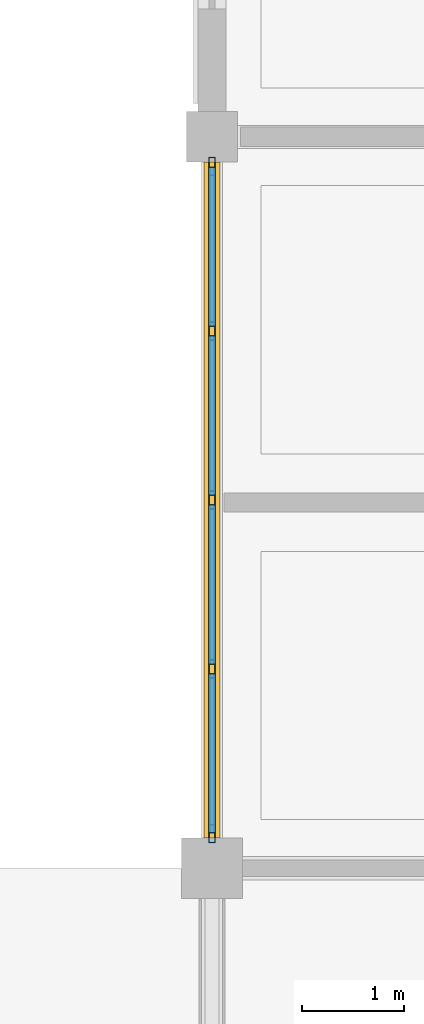
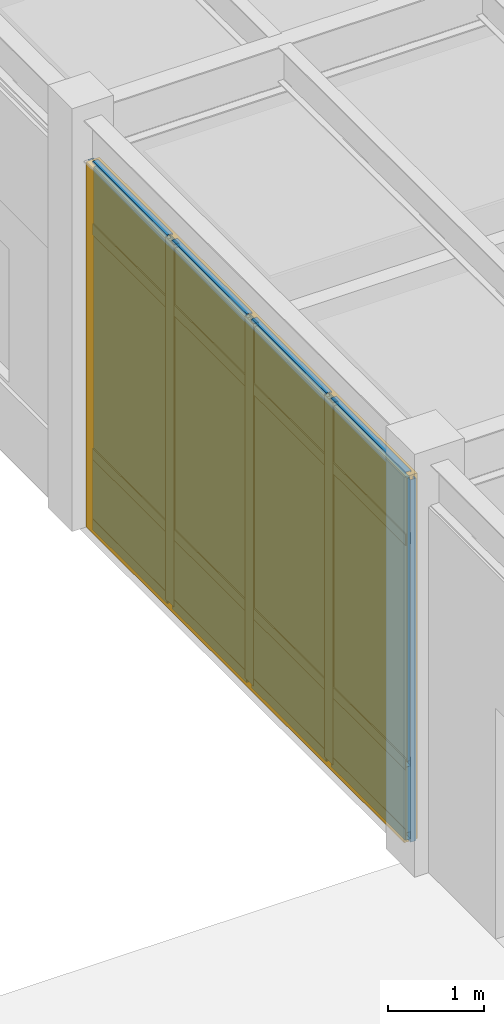
# One storey, part 64 of 97: 21 members, 8 plates, 1 curtain wall.
"""IFC4 building model written with IfcOpenShell, lengths in metres."""

from ifc_helpers import new_model, si_unit, direction, frame, origin, origin_2d, place, context, subcontext, project, spatial, rectangle, hollow_rectangle, extrude, material, layer, layer_set, material_profile, profile_set, type_object, element, aggregate, save


model = new_model("IFC4")

# Units and contexts
model_context = context("Model", 3, precision=1e-05, world=origin(), true_north=direction((0.0, 1.0)))
body_context = subcontext(model_context, "Body", "Model", "MODEL_VIEW")
ifc_project = project(units=[si_unit("LENGTHUNIT", "METRE"), si_unit("AREAUNIT", "SQUARE_METRE"), si_unit("VOLUMEUNIT", "CUBIC_METRE"), si_unit("PLANEANGLEUNIT", "RADIAN"), si_unit("MASSUNIT", "GRAM", prefix="KILO")], contexts=[model_context])

# Member
ifc_material_1 = material(Name="Anodized Aluminium 6063-T6", Category="aluminium")
ifc_material_profile_1 = material_profile(ifc_material_1, hollow_rectangle(XDim=0.06494140625, YDim=0.179931640625, WallThickness=0.00390625, at=origin_2d()), Name="ALU 65x180x4")
ifc_profile_set_1 = profile_set([ifc_material_profile_1], Name="Anodized Aluminium 6063-T6")
member_type_1 = type_object("IfcMemberType", Name="CWM-65X150", PredefinedType="MULLION", material=ifc_profile_set_1)
site_placement = place(None, origin())
building_placement = place(site_placement, origin())
storey_placement = place(building_placement, origin())
member_1_placement = place(storey_placement, frame((7.199951171875, 79.5400390625, 0.02001953125), z_axis=(0.0, 0.0, 1.0), x_axis=(1.0, 0.0, 0.0)))
member_1 = element("IfcMember", 1, at=member_1_placement, type_object=member_type_1, Name="Curtain wall mullion CW-L01-01-11-W-00", PredefinedType="MULLION", context=body_context, shape_type="SweptSolid", body=[
    extrude(hollow_rectangle(XDim=0.06494140625, YDim=0.179931640625, WallThickness=0.00390625, at=origin_2d()), origin(), (0.0, 0.0, 1.0), 4.626953125),
])

member_2_placement = place(storey_placement, frame((7.199951171875, 81.16259765625, 0.02001953125), z_axis=(0.0, 0.0, 1.0), x_axis=(1.0, 0.0, 0.0)))
member_2 = element("IfcMember", 2, at=member_2_placement, type_object=member_type_1, Name="Curtain wall mullion CW-L01-01-11-W-01", PredefinedType="MULLION", context=body_context, shape_type="SweptSolid", body=[
    extrude(hollow_rectangle(XDim=0.06494140625, YDim=0.179931640625, WallThickness=0.00390625, at=origin_2d()), origin(), (0.0, 0.0, 1.0), 4.626953125),
])

member_3_placement = place(storey_placement, frame((7.199951171875, 82.824951171875, 0.02001953125), z_axis=(0.0, 0.0, 1.0), x_axis=(1.0, 0.0, 0.0)))
member_3 = element("IfcMember", 3, at=member_3_placement, type_object=member_type_1, Name="Curtain wall mullion CW-L01-01-11-W-02", PredefinedType="MULLION", context=body_context, shape_type="SweptSolid", body=[
    extrude(hollow_rectangle(XDim=0.06494140625, YDim=0.179931640625, WallThickness=0.00390625, at=origin_2d()), origin(), (0.0, 0.0, 1.0), 4.626953125),
])

member_4_placement = place(storey_placement, frame((7.199951171875, 84.487548828125, 0.02001953125), z_axis=(0.0, 0.0, 1.0), x_axis=(1.0, 0.0, 0.0)))
member_4 = element("IfcMember", 4, at=member_4_placement, type_object=member_type_1, Name="Curtain wall mullion CW-L01-01-11-W-03", PredefinedType="MULLION", context=body_context, shape_type="SweptSolid", body=[
    extrude(hollow_rectangle(XDim=0.06494140625, YDim=0.179931640625, WallThickness=0.00390625, at=origin_2d()), origin(), (0.0, 0.0, 1.0), 4.626953125),
])

member_5_placement = place(storey_placement, frame((7.199951171875, 86.110107421875, 0.02001953125), z_axis=(0.0, 0.0, 1.0), x_axis=(1.0, 0.0, 0.0)))
member_5 = element("IfcMember", 5, at=member_5_placement, type_object=member_type_1, Name="Curtain wall mullion CW-L01-01-11-W-04", PredefinedType="MULLION", context=body_context, shape_type="SweptSolid", body=[
    extrude(hollow_rectangle(XDim=0.06494140625, YDim=0.179931640625, WallThickness=0.00390625, at=origin_2d()), origin(), (0.0, 0.0, 1.0), 4.626953125),
])

ifc_material_profile_2 = material_profile(ifc_material_1, hollow_rectangle(XDim=0.06494140625, YDim=0.139892578125, WallThickness=0.00390625, at=origin_2d()), Name="ALU 65x140x4")
ifc_profile_set_2 = profile_set([ifc_material_profile_2], Name="Anodized Aluminium 6063-T6")
member_type_2 = type_object("IfcMemberType", Name="CWT-65X120", PredefinedType="USERDEFINED", material=ifc_profile_set_2)
member_6_placement = place(storey_placement, frame((7.199951171875, 79.550048828125, 0.050048828125), z_axis=(0.0, 1.0, 0.0), x_axis=(-1.0, 0.0, 0.0)))
member_6 = element("IfcMember", 6, at=member_6_placement, type_object=member_type_2, Name="Curtain wall transom CW-L01-01-11-W-1.01", ObjectType="TRANSOM", PredefinedType="USERDEFINED", context=body_context, shape_type="SweptSolid", body=[
    extrude(hollow_rectangle(XDim=0.06494140625, YDim=0.139892578125, WallThickness=0.00390625, at=origin_2d()), origin(), (0.0, 0.0, 1.0), 1.5625),
])

member_7_placement = place(storey_placement, frame((7.199951171875, 81.21240234375, 0.050048828125), z_axis=(0.0, 1.0, 0.0), x_axis=(-1.0, 0.0, 0.0)))
member_7 = element("IfcMember", 7, at=member_7_placement, type_object=member_type_2, Name="Curtain wall transom CW-L01-01-11-W-1.02", ObjectType="TRANSOM", PredefinedType="USERDEFINED", context=body_context, shape_type="SweptSolid", body=[
    extrude(hollow_rectangle(XDim=0.06494140625, YDim=0.139892578125, WallThickness=0.00390625, at=origin_2d()), origin(), (0.0, 0.0, 1.0), 1.5625),
])

member_8_placement = place(storey_placement, frame((7.199951171875, 82.875, 0.050048828125), z_axis=(0.0, 1.0, 0.0), x_axis=(-1.0, 0.0, 0.0)))
member_8 = element("IfcMember", 8, at=member_8_placement, type_object=member_type_2, Name="Curtain wall transom CW-L01-01-11-W-1.03", ObjectType="TRANSOM", PredefinedType="USERDEFINED", context=body_context, shape_type="SweptSolid", body=[
    extrude(hollow_rectangle(XDim=0.06494140625, YDim=0.139892578125, WallThickness=0.00390625, at=origin_2d()), origin(), (0.0, 0.0, 1.0), 1.5625),
])

member_9_placement = place(storey_placement, frame((7.199951171875, 84.53759765625, 0.050048828125), z_axis=(0.0, 1.0, 0.0), x_axis=(-1.0, 0.0, 0.0)))
member_9 = element("IfcMember", 9, at=member_9_placement, type_object=member_type_2, Name="Curtain wall transom CW-L01-01-11-W-1.04", ObjectType="TRANSOM", PredefinedType="USERDEFINED", context=body_context, shape_type="SweptSolid", body=[
    extrude(hollow_rectangle(XDim=0.06494140625, YDim=0.139892578125, WallThickness=0.00390625, at=origin_2d()), origin(), (0.0, 0.0, 1.0), 1.5625),
])

member_10_placement = place(storey_placement, frame((7.199951171875, 79.550048828125, 0.949951171875), z_axis=(0.0, 1.0, 0.0), x_axis=(-1.0, 0.0, 0.0)))
member_10 = element("IfcMember", 10, at=member_10_placement, type_object=member_type_2, Name="Curtain wall transom CW-L01-01-11-W-2.01", ObjectType="TRANSOM", PredefinedType="USERDEFINED", context=body_context, shape_type="SweptSolid", body=[
    extrude(hollow_rectangle(XDim=0.06494140625, YDim=0.139892578125, WallThickness=0.00390625, at=origin_2d()), origin(), (0.0, 0.0, 1.0), 1.5625),
])

member_11_placement = place(storey_placement, frame((7.199951171875, 81.21240234375, 0.949951171875), z_axis=(0.0, 1.0, 0.0), x_axis=(-1.0, 0.0, 0.0)))
member_11 = element("IfcMember", 11, at=member_11_placement, type_object=member_type_2, Name="Curtain wall transom CW-L01-01-11-W-2.02", ObjectType="TRANSOM", PredefinedType="USERDEFINED", context=body_context, shape_type="SweptSolid", body=[
    extrude(hollow_rectangle(XDim=0.06494140625, YDim=0.139892578125, WallThickness=0.00390625, at=origin_2d()), origin(), (0.0, 0.0, 1.0), 1.5625),
])

member_12_placement = place(storey_placement, frame((7.199951171875, 82.875, 0.949951171875), z_axis=(0.0, 1.0, 0.0), x_axis=(-1.0, 0.0, 0.0)))
member_12 = element("IfcMember", 12, at=member_12_placement, type_object=member_type_2, Name="Curtain wall transom CW-L01-01-11-W-2.03", ObjectType="TRANSOM", PredefinedType="USERDEFINED", context=body_context, shape_type="SweptSolid", body=[
    extrude(hollow_rectangle(XDim=0.06494140625, YDim=0.139892578125, WallThickness=0.00390625, at=origin_2d()), origin(), (0.0, 0.0, 1.0), 1.5625),
])

member_13_placement = place(storey_placement, frame((7.199951171875, 84.53759765625, 0.949951171875), z_axis=(0.0, 1.0, 0.0), x_axis=(-1.0, 0.0, 0.0)))
member_13 = element("IfcMember", 13, at=member_13_placement, type_object=member_type_2, Name="Curtain wall transom CW-L01-01-11-W-2.04", ObjectType="TRANSOM", PredefinedType="USERDEFINED", context=body_context, shape_type="SweptSolid", body=[
    extrude(hollow_rectangle(XDim=0.06494140625, YDim=0.139892578125, WallThickness=0.00390625, at=origin_2d()), origin(), (0.0, 0.0, 1.0), 1.5625),
])

member_14_placement = place(storey_placement, frame((7.199951171875, 79.550048828125, 3.81689453125), z_axis=(0.0, 1.0, 0.0), x_axis=(-1.0, 0.0, 0.0)))
member_14 = element("IfcMember", 14, at=member_14_placement, type_object=member_type_2, Name="Curtain wall transom CW-L01-01-11-W-3.01", ObjectType="TRANSOM", PredefinedType="USERDEFINED", context=body_context, shape_type="SweptSolid", body=[
    extrude(hollow_rectangle(XDim=0.06494140625, YDim=0.139892578125, WallThickness=0.00390625, at=origin_2d()), origin(), (0.0, 0.0, 1.0), 1.5625),
])

member_15_placement = place(storey_placement, frame((7.199951171875, 81.21240234375, 3.81689453125), z_axis=(0.0, 1.0, 0.0), x_axis=(-1.0, 0.0, 0.0)))
member_15 = element("IfcMember", 15, at=member_15_placement, type_object=member_type_2, Name="Curtain wall transom CW-L01-01-11-W-3.02", ObjectType="TRANSOM", PredefinedType="USERDEFINED", context=body_context, shape_type="SweptSolid", body=[
    extrude(hollow_rectangle(XDim=0.06494140625, YDim=0.139892578125, WallThickness=0.00390625, at=origin_2d()), origin(), (0.0, 0.0, 1.0), 1.5625),
])

member_16_placement = place(storey_placement, frame((7.199951171875, 82.875, 3.81689453125), z_axis=(0.0, 1.0, 0.0), x_axis=(-1.0, 0.0, 0.0)))
member_16 = element("IfcMember", 16, at=member_16_placement, type_object=member_type_2, Name="Curtain wall transom CW-L01-01-11-W-3.03", ObjectType="TRANSOM", PredefinedType="USERDEFINED", context=body_context, shape_type="SweptSolid", body=[
    extrude(hollow_rectangle(XDim=0.06494140625, YDim=0.139892578125, WallThickness=0.00390625, at=origin_2d()), origin(), (0.0, 0.0, 1.0), 1.5625),
])

member_17_placement = place(storey_placement, frame((7.199951171875, 84.53759765625, 3.81689453125), z_axis=(0.0, 1.0, 0.0), x_axis=(-1.0, 0.0, 0.0)))
member_17 = element("IfcMember", 17, at=member_17_placement, type_object=member_type_2, Name="Curtain wall transom CW-L01-01-11-W-3.04", ObjectType="TRANSOM", PredefinedType="USERDEFINED", context=body_context, shape_type="SweptSolid", body=[
    extrude(hollow_rectangle(XDim=0.06494140625, YDim=0.139892578125, WallThickness=0.00390625, at=origin_2d()), origin(), (0.0, 0.0, 1.0), 1.5625),
])

member_18_placement = place(storey_placement, frame((7.199951171875, 79.550048828125, 4.616943359375), z_axis=(0.0, 1.0, 0.0), x_axis=(-1.0, 0.0, 0.0)))
member_18 = element("IfcMember", 18, at=member_18_placement, type_object=member_type_2, Name="Curtain wall transom CW-L01-01-11-W-4.01", ObjectType="TRANSOM", PredefinedType="USERDEFINED", context=body_context, shape_type="SweptSolid", body=[
    extrude(hollow_rectangle(XDim=0.06494140625, YDim=0.139892578125, WallThickness=0.00390625, at=origin_2d()), origin(), (0.0, 0.0, 1.0), 1.5625),
])

member_19_placement = place(storey_placement, frame((7.199951171875, 81.21240234375, 4.616943359375), z_axis=(0.0, 1.0, 0.0), x_axis=(-1.0, 0.0, 0.0)))
member_19 = element("IfcMember", 19, at=member_19_placement, type_object=member_type_2, Name="Curtain wall transom CW-L01-01-11-W-4.02", ObjectType="TRANSOM", PredefinedType="USERDEFINED", context=body_context, shape_type="SweptSolid", body=[
    extrude(hollow_rectangle(XDim=0.06494140625, YDim=0.139892578125, WallThickness=0.00390625, at=origin_2d()), origin(), (0.0, 0.0, 1.0), 1.5625),
])

member_20_placement = place(storey_placement, frame((7.199951171875, 82.875, 4.616943359375), z_axis=(0.0, 1.0, 0.0), x_axis=(-1.0, 0.0, 0.0)))
member_20 = element("IfcMember", 20, at=member_20_placement, type_object=member_type_2, Name="Curtain wall transom CW-L01-01-11-W-4.03", ObjectType="TRANSOM", PredefinedType="USERDEFINED", context=body_context, shape_type="SweptSolid", body=[
    extrude(hollow_rectangle(XDim=0.06494140625, YDim=0.139892578125, WallThickness=0.00390625, at=origin_2d()), origin(), (0.0, 0.0, 1.0), 1.5625),
])

member_21_placement = place(storey_placement, frame((7.199951171875, 84.53759765625, 4.616943359375), z_axis=(0.0, 1.0, 0.0), x_axis=(-1.0, 0.0, 0.0)))
member_21 = element("IfcMember", 21, at=member_21_placement, type_object=member_type_2, Name="Curtain wall transom CW-L01-01-11-W-4.04", ObjectType="TRANSOM", PredefinedType="USERDEFINED", context=body_context, shape_type="SweptSolid", body=[
    extrude(hollow_rectangle(XDim=0.06494140625, YDim=0.139892578125, WallThickness=0.00390625, at=origin_2d()), origin(), (0.0, 0.0, 1.0), 1.5625),
])

# Plate
ifc_material_2 = material(Name="Double Low-E Insulated Glazing Unit", Category="glass")
ifc_layer_1 = layer(ifc_material_2, 0.0380859375)
ifc_layer_set_1 = layer_set([ifc_layer_1], Name="Double Low-E Insulated Glazing Unit")
plate_type_1 = type_object("IfcPlateType", Name="CWP-IGU-38", PredefinedType="CURTAIN_PANEL", material=ifc_layer_set_1)
plate_1_placement = place(storey_placement, frame((7.199951171875, 80.331298828125, 0.990234375), z_axis=(0.0, 0.0, 1.0), x_axis=(0.0, 1.0, 0.0)))
plate_1 = element("IfcPlate", 22, at=plate_1_placement, type_object=plate_type_1, Name="Curtain wall vision glazing CW-L01-01-11-W-01", PredefinedType="CURTAIN_PANEL", context=body_context, shape_type="SweptSolid", body=[
    extrude(rectangle(XDim=1.572509765625, YDim=0.0400390625, at=origin_2d()), origin(), (0.0, 0.0, 1.0), 3.616943359375),
])

plate_2_placement = place(storey_placement, frame((7.199951171875, 81.993896484375, 0.990234375), z_axis=(0.0, 0.0, 1.0), x_axis=(0.0, 1.0, 0.0)))
plate_2 = element("IfcPlate", 23, at=plate_2_placement, type_object=plate_type_1, Name="Curtain wall vision glazing CW-L01-01-11-W-02", PredefinedType="CURTAIN_PANEL", context=body_context, shape_type="SweptSolid", body=[
    extrude(rectangle(XDim=1.572509765625, YDim=0.0400390625, at=origin_2d()), origin(), (0.0, 0.0, 1.0), 3.616943359375),
])

plate_3_placement = place(storey_placement, frame((7.199951171875, 83.65625, 0.990234375), z_axis=(0.0, 0.0, 1.0), x_axis=(0.0, 1.0, 0.0)))
plate_3 = element("IfcPlate", 24, at=plate_3_placement, type_object=plate_type_1, Name="Curtain wall vision glazing CW-L01-01-11-W-03", PredefinedType="CURTAIN_PANEL", context=body_context, shape_type="SweptSolid", body=[
    extrude(rectangle(XDim=1.572509765625, YDim=0.0400390625, at=origin_2d()), origin(), (0.0, 0.0, 1.0), 3.616943359375),
])

plate_4_placement = place(storey_placement, frame((7.199951171875, 85.31884765625, 0.990234375), z_axis=(0.0, 0.0, 1.0), x_axis=(0.0, 1.0, 0.0)))
plate_4 = element("IfcPlate", 25, at=plate_4_placement, type_object=plate_type_1, Name="Curtain wall vision glazing CW-L01-01-11-W-04", PredefinedType="CURTAIN_PANEL", context=body_context, shape_type="SweptSolid", body=[
    extrude(rectangle(XDim=1.572509765625, YDim=0.0400390625, at=origin_2d()), origin(), (0.0, 0.0, 1.0), 3.616943359375),
])

ifc_material_3 = material(Name="Insulated Bronze Aluminium Spandrel", Category="aluminium")
ifc_layer_2 = layer(ifc_material_3, 0.06005859375)
ifc_layer_set_2 = layer_set([ifc_layer_2], Name="Insulated Bronze Aluminium Spandrel")
plate_type_2 = type_object("IfcPlateType", Name="CWP-SPN-60", PredefinedType="CURTAIN_PANEL", material=ifc_layer_set_2)
plate_5_placement = place(storey_placement, frame((7.199951171875, 80.331298828125, 0.080078125), z_axis=(0.0, 0.0, 1.0), x_axis=(0.0, 1.0, 0.0)))
plate_5 = element("IfcPlate", 26, at=plate_5_placement, type_object=plate_type_2, Name="Curtain wall spandrel panel CW-L01-01-11-W-01", PredefinedType="CURTAIN_PANEL", context=body_context, shape_type="SweptSolid", body=[
    extrude(rectangle(XDim=1.572509765625, YDim=0.06005859375, at=origin_2d()), origin(), (0.0, 0.0, 1.0), 0.840087890625),
])

plate_6_placement = place(storey_placement, frame((7.199951171875, 81.993896484375, 0.080078125), z_axis=(0.0, 0.0, 1.0), x_axis=(0.0, 1.0, 0.0)))
plate_6 = element("IfcPlate", 27, at=plate_6_placement, type_object=plate_type_2, Name="Curtain wall spandrel panel CW-L01-01-11-W-02", PredefinedType="CURTAIN_PANEL", context=body_context, shape_type="SweptSolid", body=[
    extrude(rectangle(XDim=1.572509765625, YDim=0.06005859375, at=origin_2d()), origin(), (0.0, 0.0, 1.0), 0.840087890625),
])

plate_7_placement = place(storey_placement, frame((7.199951171875, 83.65625, 0.080078125), z_axis=(0.0, 0.0, 1.0), x_axis=(0.0, 1.0, 0.0)))
plate_7 = element("IfcPlate", 28, at=plate_7_placement, type_object=plate_type_2, Name="Curtain wall spandrel panel CW-L01-01-11-W-03", PredefinedType="CURTAIN_PANEL", context=body_context, shape_type="SweptSolid", body=[
    extrude(rectangle(XDim=1.572509765625, YDim=0.06005859375, at=origin_2d()), origin(), (0.0, 0.0, 1.0), 0.840087890625),
])

plate_8_placement = place(storey_placement, frame((7.199951171875, 85.31884765625, 0.080078125), z_axis=(0.0, 0.0, 1.0), x_axis=(0.0, 1.0, 0.0)))
plate_8 = element("IfcPlate", 29, at=plate_8_placement, type_object=plate_type_2, Name="Curtain wall spandrel panel CW-L01-01-11-W-04", PredefinedType="CURTAIN_PANEL", context=body_context, shape_type="SweptSolid", body=[
    extrude(rectangle(XDim=1.572509765625, YDim=0.06005859375, at=origin_2d()), origin(), (0.0, 0.0, 1.0), 0.840087890625),
])

# Site, building, storey
site = spatial("IfcSite", under=ifc_project, at=site_placement, CompositionType="ELEMENT")
building = spatial("IfcBuilding", under=site, at=building_placement, Name="Sillqori Civic Hall", CompositionType="ELEMENT")
storey = spatial("IfcBuildingStorey", under=building, at=storey_placement, Name="L01", CompositionType="ELEMENT", Elevation=0.0)

# Curtain wall
ifc_material_4 = material(Name="Anodized Aluminium Curtain Wall System", Category="aluminium")
curtain_wall_type = type_object("IfcCurtainWallType", Name="CW-SF-540", PredefinedType="NOTDEFINED", material=ifc_material_4)
curtain_wall_placement = place(storey_placement, frame((7.199951171875, 82.824951171875, 0.0), z_axis=(0.0, 0.0, 1.0), x_axis=(0.0, 1.0, 0.0)))
curtain_wall = element("IfcCurtainWall", 30, at=curtain_wall_placement, inside=storey, type_object=curtain_wall_type, Name="L01 unitised curtain wall CW-L01-01-11-W", PredefinedType="NOTDEFINED", context=body_context, shape_type="SweptSolid", body=[
    extrude(rectangle(XDim=6.64990234375, YDim=0.159912109375, at=origin_2d()), origin(), (0.0, 0.0, 1.0), 4.6669921875),
])

aggregate(curtain_wall, [member_1, member_2, member_3, member_4, member_5, member_6, member_7, member_8, member_9, member_10, member_11, member_12, member_13, member_14, member_15, member_16, member_17, member_18, member_19, member_20, member_21, plate_5, plate_1, plate_6, plate_2, plate_7, plate_3, plate_8, plate_4])

save(model, "model.ifc")
